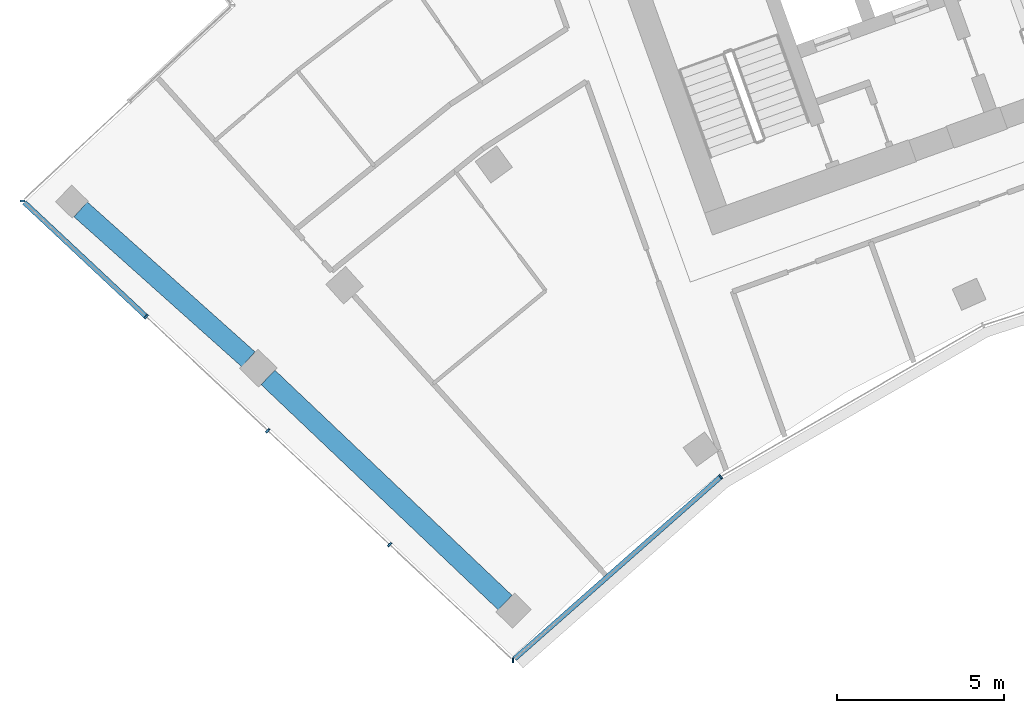
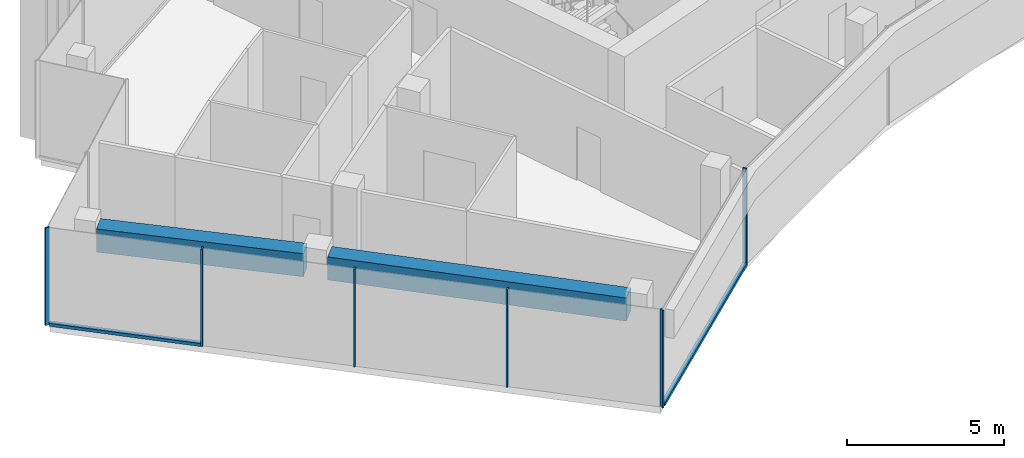
# One storey, part 2 of 19: 8 members, 2 beams, 2 elements without a shape of their own.
"""IFC4 building model written with IfcOpenShell, lengths in metres."""

from ifc_helpers import new_model, si_unit, direction, frame, origin, origin_2d, place, context, subcontext, project, spatial, rectangle, extrude, material, layer, layer_set, material_profile, profile_set, type_object, element, aggregate, save


model = new_model("IFC4")

# Units and contexts
model_context = context("Model", 3, precision=1e-05, world=origin(), true_north=direction((0.0, 1.0)))
body_context = subcontext(model_context, "Body", "Model", "MODEL_VIEW")
ifc_project = project(units=[si_unit("LENGTHUNIT", "METRE"), si_unit("AREAUNIT", "SQUARE_METRE"), si_unit("VOLUMEUNIT", "CUBIC_METRE"), si_unit("PLANEANGLEUNIT", "RADIAN"), si_unit("MASSUNIT", "GRAM", prefix="KILO")], contexts=[model_context])

# Site, building, storey
site_placement = place(None, origin())
site = spatial("IfcSite", under=ifc_project, at=site_placement, CompositionType="ELEMENT")
building_placement = place(site_placement, origin())
building = spatial("IfcBuilding", under=site, at=building_placement, Name="Stone Belt Terrace Tower", CompositionType="ELEMENT")
storey_placement = place(building_placement, frame((0.0, 0.0, 292.199951171875)))
storey = spatial("IfcBuildingStorey", under=building, at=storey_placement, Name="L71", CompositionType="ELEMENT", Elevation=292.199951171875)

# Curtain wall, members
ifc_material_1 = material(Name="Aluminium 6063-T6 anodised frame", Category="aluminium")
ifc_layer_1 = layer(ifc_material_1, 0.14990234375)
ifc_layer_set_1 = layer_set([ifc_layer_1], Name="CW-B unitised concave-face curtain wall")
curtain_wall_type_1 = type_object("IfcCurtainWallType", Name="CW-B unitised concave-face curtain wall", PredefinedType="NOTDEFINED", material=ifc_layer_set_1)
curtain_wall_1_placement = place(storey_placement, origin())
curtain_wall_1 = element("IfcCurtainWall", 1, at=curtain_wall_1_placement, inside=storey, type_object=curtain_wall_type_1, Name="CW-B concave face L71", PredefinedType="NOTDEFINED")
ifc_material_profile_1 = material_profile(ifc_material_1, rectangle(XDim=0.14990234375, YDim=0.050048828125, at=origin_2d()), Name="Aluminium 6063-T6 50x150")
ifc_profile_set_1 = profile_set([ifc_material_profile_1], Name="Aluminium 6063-T6 anodised frame")
member_type_1 = type_object("IfcMemberType", Name="CW-B mullion 50 x 150", PredefinedType="MULLION", material=ifc_profile_set_1)
member_1_placement = place(storey_placement, frame((-31.75244140625, 29.633056640625, 0.0), z_axis=(0.0, 0.0, 1.0), x_axis=(0.014681639593, 0.999892218921, 0.0)))
member_1 = element("IfcMember", 2, at=member_1_placement, type_object=member_type_1, Name="CW-B mullion 1", PredefinedType="MULLION", context=body_context, shape_type="SweptSolid", body=[
    extrude(rectangle(XDim=0.14990234375, YDim=0.050048828125, at=origin_2d()), origin(), (0.0, 0.0, 1.0), 3.800048828125),
])
member_2_placement = place(storey_placement, frame((-25.524658203125, 35.131103515625, 0.0), z_axis=(0.0, 0.0, 1.0), x_axis=(-0.583818854632, 0.811883947973, 0.0)))
member_2 = element("IfcMember", 3, at=member_2_placement, type_object=member_type_1, Name="CW-B mullion 2", PredefinedType="MULLION", context=body_context, shape_type="SweptSolid", body=[
    extrude(rectangle(XDim=0.14990234375, YDim=0.050048828125, at=origin_2d()), origin(), (0.0, 0.0, 1.0), 3.800048828125),
])
ifc_material_profile_2 = material_profile(ifc_material_1, rectangle(XDim=0.14990234375, YDim=0.1201171875, at=origin_2d()), Name="Aluminium 6063-T6 150x120")
ifc_profile_set_2 = profile_set([ifc_material_profile_2], Name="Aluminium 6063-T6 anodised frame")
member_type_2 = type_object("IfcMemberType", Name="CW-B transom 120 x 150", PredefinedType="USERDEFINED", material=ifc_profile_set_2)
member_3_placement = place(storey_placement, frame((-31.70068359375, 29.6787109375, 0.06005859375), z_axis=(0.749668527307, 0.661813492735, 0.0), x_axis=(-0.661813492735, 0.749668527307, 0.0)))
member_3 = element("IfcMember", 4, at=member_3_placement, type_object=member_type_2, Name="CW-B transom 1.1", ObjectType="TRANSOM", PredefinedType="USERDEFINED", context=body_context, shape_type="SweptSolid", body=[
    extrude(rectangle(XDim=0.14990234375, YDim=0.1201171875, at=origin_2d()), origin(), (0.0, 0.0, 1.0), 8.2060546875),
])
aggregate(curtain_wall_1, [member_1, member_2, member_3])

ifc_layer_2 = layer(ifc_material_1, 0.14990234375)
ifc_layer_set_2 = layer_set([ifc_layer_2], Name="CW-C stick curtain wall, horn ends and notches")
curtain_wall_type_2 = type_object("IfcCurtainWallType", Name="CW-C stick curtain wall, horn ends and notches", PredefinedType="NOTDEFINED", material=ifc_layer_set_2)
curtain_wall_2_placement = place(storey_placement, origin())
curtain_wall_2 = element("IfcCurtainWall", 5, at=curtain_wall_2_placement, inside=storey, type_object=curtain_wall_type_2, Name="CW-C end face L71", PredefinedType="NOTDEFINED")
ifc_material_profile_3 = material_profile(ifc_material_1, rectangle(XDim=0.14990234375, YDim=0.06005859375, at=origin_2d()), Name="Aluminium 6063-T6 60x150")
ifc_profile_set_3 = profile_set([ifc_material_profile_3], Name="Aluminium 6063-T6 anodised frame")
member_type_3 = type_object("IfcMemberType", Name="CW-C mullion 60 x 150", PredefinedType="MULLION", material=ifc_profile_set_3)
member_4_placement = place(storey_placement, frame((-46.458740234375, 43.405517578125, 0.0), z_axis=(0.0, 0.0, 1.0), x_axis=(0.999999447771, -0.00105093149, 0.0)))
member_4 = element("IfcMember", 6, at=member_4_placement, type_object=member_type_3, Name="CW-C mullion 1", PredefinedType="MULLION", context=body_context, shape_type="SweptSolid", body=[
    extrude(rectangle(XDim=0.14990234375, YDim=0.06005859375, at=origin_2d()), origin(), (0.0, 0.0, 1.0), 3.800048828125),
])
member_5_placement = place(storey_placement, frame((-42.750732421875, 39.932861328125, 0.0), z_axis=(0.0, 0.0, 1.0), x_axis=(0.683549434973, 0.729904219708, 0.0)))
member_5 = element("IfcMember", 7, at=member_5_placement, type_object=member_type_3, Name="CW-C mullion 2", PredefinedType="MULLION", context=body_context, shape_type="SweptSolid", body=[
    extrude(rectangle(XDim=0.14990234375, YDim=0.06005859375, at=origin_2d()), origin(), (0.0, 0.0, 1.0), 3.800048828125),
])
member_6_placement = place(storey_placement, frame((-39.10107421875, 36.51513671875, 0.0), z_axis=(0.0, 0.0, 1.0), x_axis=(0.683549434973, 0.729904219708, 0.0)))
member_6 = element("IfcMember", 8, at=member_6_placement, type_object=member_type_3, Name="CW-C mullion 3", PredefinedType="MULLION", context=body_context, shape_type="SweptSolid", body=[
    extrude(rectangle(XDim=0.14990234375, YDim=0.06005859375, at=origin_2d()), origin(), (0.0, 0.0, 1.0), 3.800048828125),
])
member_7_placement = place(storey_placement, frame((-35.45166015625, 33.097412109375, 0.0), z_axis=(0.0, 0.0, 1.0), x_axis=(0.683549434973, 0.729904219708, 0.0)))
member_7 = element("IfcMember", 9, at=member_7_placement, type_object=member_type_3, Name="CW-C mullion 4", PredefinedType="MULLION", context=body_context, shape_type="SweptSolid", body=[
    extrude(rectangle(XDim=0.14990234375, YDim=0.06005859375, at=origin_2d()), origin(), (0.0, 0.0, 1.0), 3.800048828125),
])
ifc_material_profile_4 = material_profile(ifc_material_1, rectangle(XDim=0.14990234375, YDim=0.1201171875, at=origin_2d()), Name="Aluminium 6063-T6 150x120")
ifc_profile_set_4 = profile_set([ifc_material_profile_4], Name="Aluminium 6063-T6 anodised frame")
member_type_4 = type_object("IfcMemberType", Name="CW-C transom 120 x 150", PredefinedType="USERDEFINED", material=ifc_profile_set_4)
member_8_placement = place(storey_placement, frame((-46.40380859375, 43.35400390625, 0.06005859375), z_axis=(0.729913558916, -0.683539462292, 0.0), x_axis=(0.683539462292, 0.729913558916, 0.0)))
member_8 = element("IfcMember", 10, at=member_8_placement, type_object=member_type_4, Name="CW-C transom 1.1", ObjectType="TRANSOM", PredefinedType="USERDEFINED", context=body_context, shape_type="SweptSolid", body=[
    extrude(rectangle(XDim=0.14990234375, YDim=0.1201171875, at=origin_2d()), origin(), (0.0, 0.0, 1.0), 4.97509765625),
])
aggregate(curtain_wall_2, [member_4, member_5, member_6, member_7, member_8])

# Beams
ifc_material_2 = material(Name="Concrete B60", Category="concrete")
ifc_material_profile_5 = material_profile(ifc_material_2, rectangle(XDim=0.60009765625, YDim=0.89990234375, at=origin_2d()), Name="RC 600x900")
ifc_profile_set_5 = profile_set([ifc_material_profile_5], Name="Concrete B60")
beam_type = type_object("IfcBeamType", Name="Edge beam RC 600x900 B60", PredefinedType="SPANDREL", material=ifc_profile_set_5)
beam_1_placement = place(storey_placement, frame((-31.98876953125, 31.35791015625, 3.030029296875), z_axis=(-0.72502367576, 0.688723942946, 0.0), x_axis=(-0.688723942946, -0.72502367576, 0.0)))
element("IfcBeam", 11, at=beam_1_placement, inside=storey, type_object=beam_type, Name="Edge beam L71 A P to Q", PredefinedType="SPANDREL", context=body_context, shape_type="SweptSolid", body=[
    extrude(rectangle(XDim=0.60009765625, YDim=0.89990234375, at=origin_2d()), origin(), (0.0, 0.0, 1.0), 9.80615234375),
])
beam_2_placement = place(storey_placement, frame((-39.68701171875, 38.65380859375, 3.030029296875), z_axis=(-0.745651125692, 0.666336550666, 0.0), x_axis=(-0.666336550666, -0.745651125692, 0.0)))
element("IfcBeam", 12, at=beam_2_placement, inside=storey, type_object=beam_type, Name="Edge beam L71 A Q to R", PredefinedType="SPANDREL", context=body_context, shape_type="SweptSolid", body=[
    extrude(rectangle(XDim=0.60009765625, YDim=0.89990234375, at=origin_2d()), origin(), (0.0, 0.0, 1.0), 6.744140625),
])

save(model, "model.ifc")
